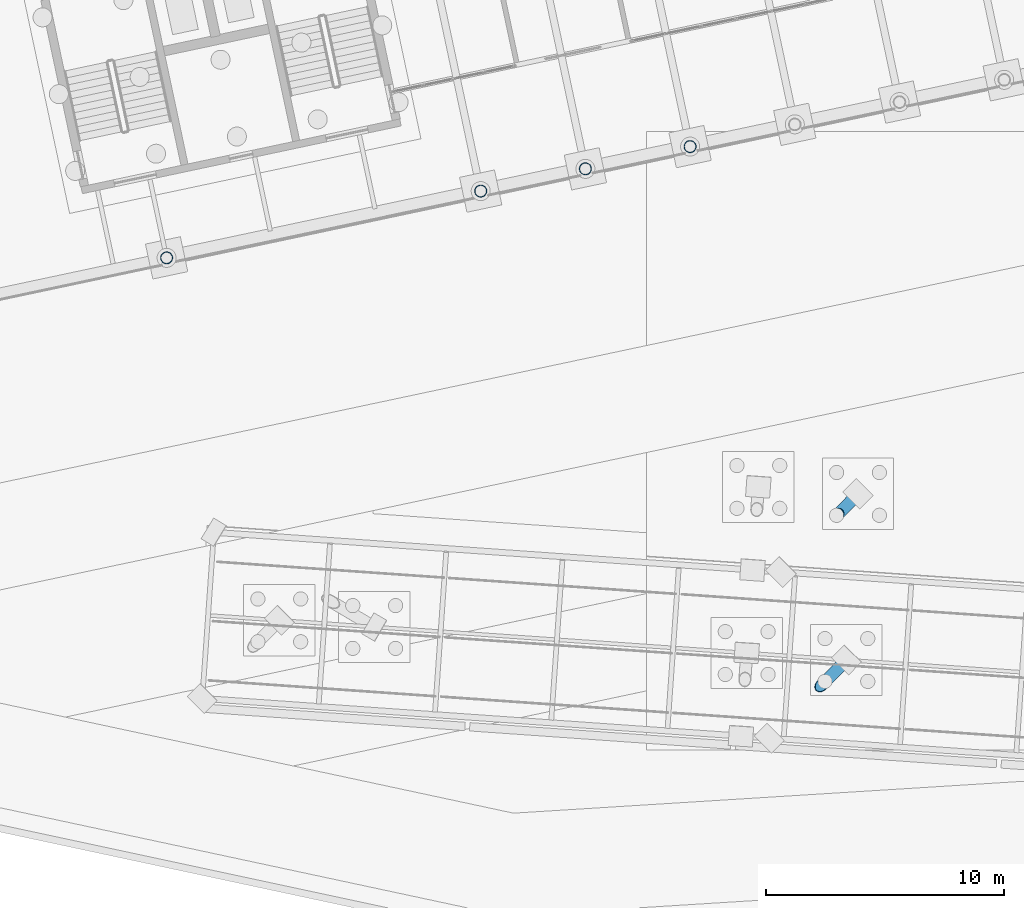
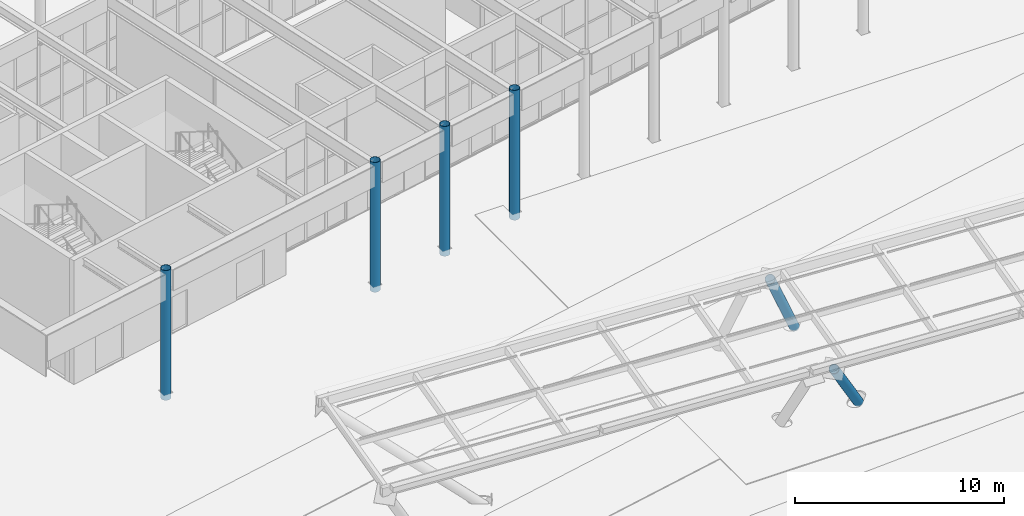
# One storey, part 12 of 239: 6 columns.
"""IFC4 building model written with IfcOpenShell, lengths in metres."""

from ifc_helpers import new_model, si_unit, direction, frame, origin, origin_2d, place, context, subcontext, project, spatial, hollow_circle, extrude, material, material_profile, profile_set, type_object, element, save


model = new_model("IFC4")

# Units and contexts
model_context = context("Model", 3, precision=1e-05, world=origin(), true_north=direction((0.0, 1.0)))
body_context = subcontext(model_context, "Body", "Model", "MODEL_VIEW")
ifc_project = project(units=[si_unit("LENGTHUNIT", "METRE"), si_unit("AREAUNIT", "SQUARE_METRE"), si_unit("VOLUMEUNIT", "CUBIC_METRE"), si_unit("PLANEANGLEUNIT", "RADIAN"), si_unit("MASSUNIT", "GRAM", prefix="KILO")], contexts=[model_context])

# Site, building, storey
site_placement = place(None, origin())
site = spatial("IfcSite", under=ifc_project, at=site_placement, CompositionType="ELEMENT")
building_placement = place(site_placement, origin())
building = spatial("IfcBuilding", under=site, at=building_placement, Name="Okhra Congress Centre", CompositionType="ELEMENT")
storey_placement = place(building_placement, origin())
storey = spatial("IfcBuildingStorey", under=building, at=storey_placement, Name="L00", CompositionType="ELEMENT", Elevation=0.0)

# Columns
ifc_material = material(Name="Steel S355J2H", Category="steel")
ifc_material_profile_1 = material_profile(ifc_material, hollow_circle(Radius=0.25390625, WallThickness=0.02001953125, at=origin_2d()), Name="CHS 508x20")
ifc_profile_set_1 = profile_set([ifc_material_profile_1], Name="Steel S355J2H")
column_type_1 = type_object("IfcColumnType", Name="Raking steel strut CHS 508x20", PredefinedType="COLUMN", material=ifc_profile_set_1)
column_1_placement = place(storey_placement, frame((98.392822265625, 11.773681640625, -0.39990234375), z_axis=(-0.474246085992, -0.480899410174, 0.737445867312), x_axis=(0.712015050668, -0.702164202749, 0.0)))
element("IfcColumn", 1, at=column_1_placement, inside=storey, type_object=column_type_1, Name="Covered promenade raking strut 4", PredefinedType="COLUMN", context=body_context, shape_type="SweptSolid", body=[
    extrude(hollow_circle(Radius=0.25390625, WallThickness=0.02001953125, at=origin_2d()), origin(), (0.0, 0.0, 1.0), 6.8251953125),
])
column_2_placement = place(storey_placement, frame((98.881103515625, 18.756591796875, -0.39990234375), z_axis=(-0.432633030467, -0.438702554051, 0.787634896394), x_axis=(0.712015050668, -0.702164202749, 0.0)))
element("IfcColumn", 2, at=column_2_placement, inside=storey, type_object=column_type_1, Name="Covered promenade raking strut 6", PredefinedType="COLUMN", context=body_context, shape_type="SweptSolid", body=[
    extrude(hollow_circle(Radius=0.25390625, WallThickness=0.02001953125, at=origin_2d()), origin(), (0.0, 0.0, 1.0), 7.481689453125),
])
ifc_material_profile_2 = material_profile(ifc_material, hollow_circle(Radius=0.25390625, WallThickness=0.01611328125, at=origin_2d()), Name="CHS 508x16")
ifc_profile_set_2 = profile_set([ifc_material_profile_2], Name="Steel S355J2H")
column_type_2 = type_object("IfcColumnType", Name="Round steel column CHS 508x16", PredefinedType="COLUMN", material=ifc_profile_set_2)
for number, where, z_axis, x_axis, name in (
    (3, (69.814208984375, 28.680419921875, -0.39990234375), (0.0, 0.0, 1.0), (0.978147600734, 0.207911690818, 0.0), "Round column 1S"),
    (4, (83.019287109375, 31.4873046875, -0.39990234375), (0.0, 0.0, 1.0), (0.978147600734, 0.207911690818, 0.0), "Round column 2S"),
    (5, (87.4208984375, 32.4228515625, -0.39990234375), (0.0, 0.0, 1.0), (0.978147600734, 0.207911690818, 0.0), "Round column 3S"),
    (6, (91.82275390625, 33.3583984375, -0.39990234375), (0.0, 0.0, 1.0), (0.978147600734, 0.207911690818, 0.0), "Round column 4S"),
):
    element("IfcColumn", number, at=place(storey_placement, frame(where, z_axis=z_axis, x_axis=x_axis)), inside=storey, type_object=column_type_2, Name=name, PredefinedType="COLUMN", context=body_context, shape_type="SweptSolid", body=[
        extrude(hollow_circle(Radius=0.25390625, WallThickness=0.01611328125, at=origin_2d()), origin(), (0.0, 0.0, 1.0), 7.599853515625),
    ])

save(model, "model.ifc")
